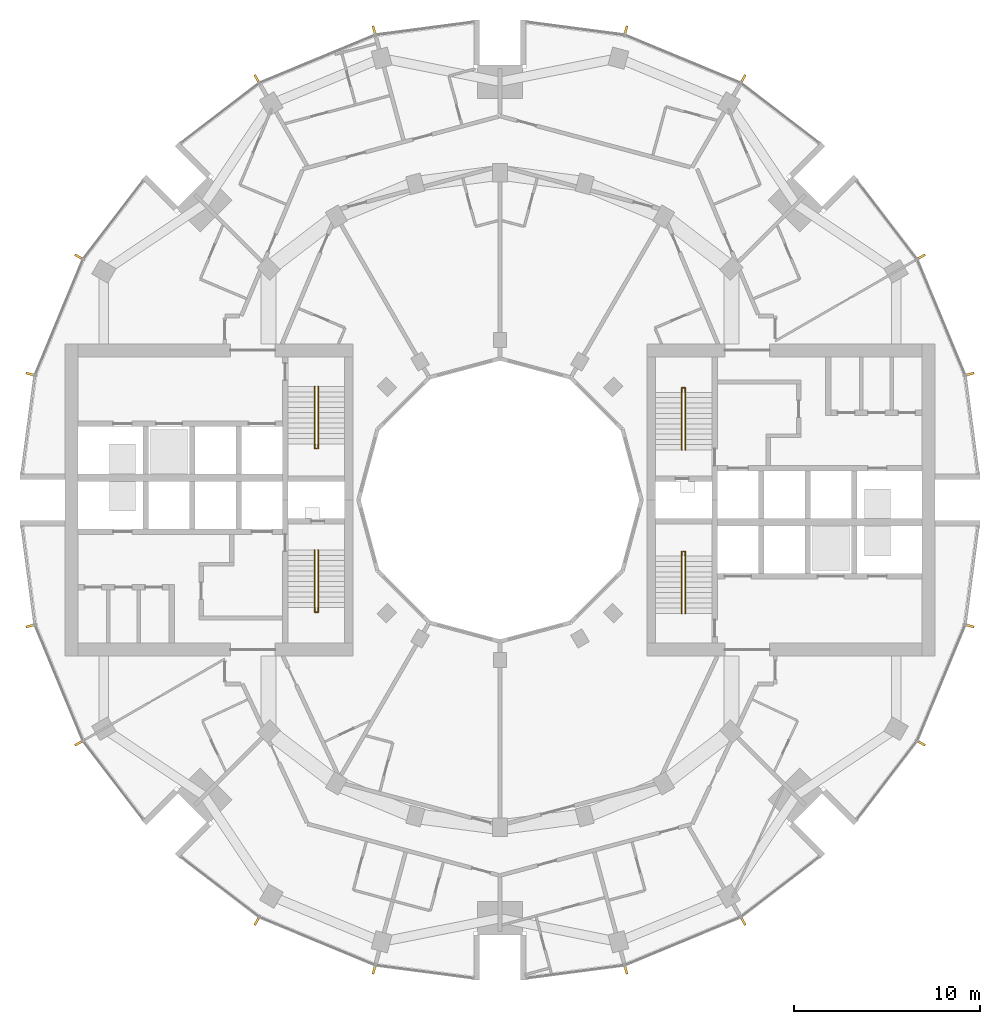
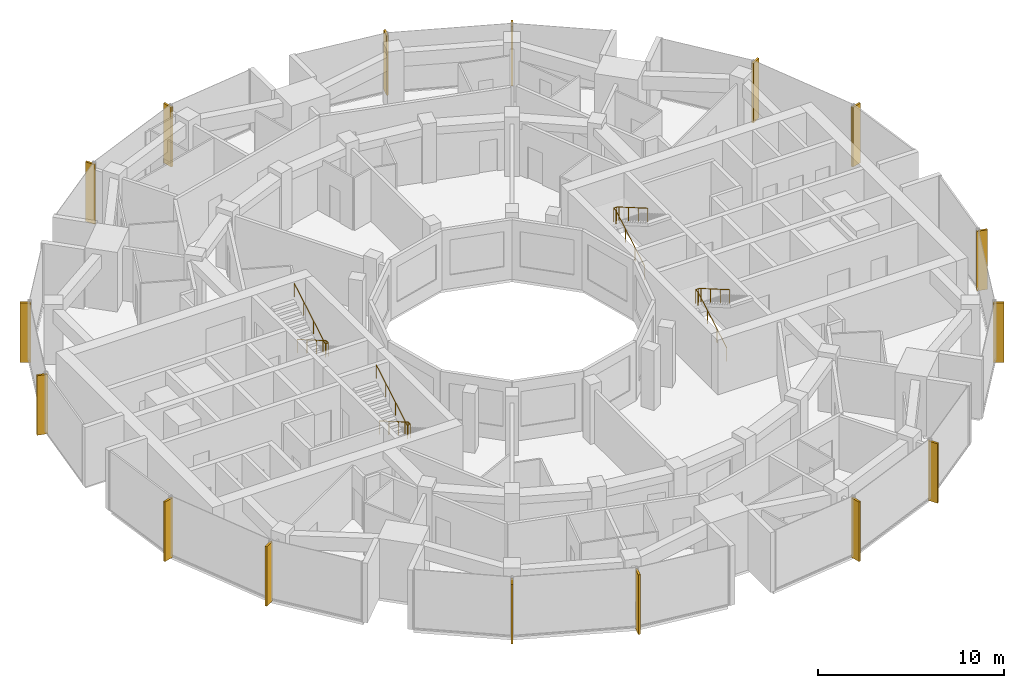
# One storey, part 14 of 15: 16 shading devices, 4 railings.
"""IFC4 building model written with IfcOpenShell, lengths in metres."""

from ifc_helpers import new_model, si_unit, direction, frame, origin, origin_2d, place, context, subcontext, project, spatial, rectangle, circle, extrude, material, material_profile, profile_set, type_object, element, save


model = new_model("IFC4")

# Units and contexts
model_context = context("Model", 3, precision=1e-05, world=origin(), true_north=direction((0.0, 1.0)))
body_context = subcontext(model_context, "Body", "Model", "MODEL_VIEW")
ifc_project = project(units=[si_unit("LENGTHUNIT", "METRE"), si_unit("AREAUNIT", "SQUARE_METRE"), si_unit("VOLUMEUNIT", "CUBIC_METRE"), si_unit("PLANEANGLEUNIT", "RADIAN"), si_unit("MASSUNIT", "GRAM", prefix="KILO")], contexts=[model_context])

# Site, building, storey
site_placement = place(None, origin())
site = spatial("IfcSite", under=ifc_project, at=site_placement, CompositionType="ELEMENT")
building_placement = place(site_placement, origin())
building = spatial("IfcBuilding", under=site, at=building_placement, Name="Torre Brocal", CompositionType="ELEMENT")
storey_placement = place(building_placement, frame((0.0, 0.0, 126.300048828125)))
storey = spatial("IfcBuildingStorey", under=building, at=storey_placement, Name="L29", CompositionType="ELEMENT", Elevation=126.300048828125)

# Shading devices
ifc_material_1 = material(Name="Aluminium, black anodised", Category="aluminium")
ifc_material_profile = material_profile(ifc_material_1, rectangle(XDim=0.1201171875, YDim=0.60009765625, at=origin_2d()), Name="FIN 120X600 3900 HIGH")
ifc_profile_set = profile_set([ifc_material_profile], Name="Aluminium, black anodised")
shading_device_type = type_object("IfcShadingDeviceType", Name="FIN 120X600 3900 HIGH", PredefinedType="USERDEFINED", material=ifc_profile_set)
for number, where, z_axis, x_axis, name in (
    (1, (105.208984375, 81.754638671875, -0.150146484375), (0.0, 0.0, 1.0), (-0.258819045103, 0.965925826289, 0.0), "FIN"),
    (2, (102.601806640625, 88.049072265625, -0.150146484375), (0.0, 0.0, 1.0), (-0.5, 0.866025403784, 0.0), "FIN"),
    (3, (93.049072265625, 97.601806640625, -0.150146484375), (0.0, 0.0, 1.0), (-0.866025403784, 0.5, 0.0), "FIN"),
    (4, (86.754638671875, 100.208984375, -0.150146484375), (0.0, 0.0, 1.0), (-0.965925826289, 0.258819045103, 0.0), "FIN"),
    (5, (73.245361328125, 100.208984375, -0.150146484375), (0.0, 0.0, 1.0), (-0.965925826289, -0.258819045103, 0.0), "FIN"),
    (6, (66.950927734375, 97.601806640625, -0.150146484375), (0.0, 0.0, 1.0), (-0.866025403784, -0.5, 0.0), "FIN"),
    (7, (57.398193359375, 88.049072265625, -0.150146484375), (0.0, 0.0, 1.0), (-0.5, -0.866025403784, 0.0), "FIN"),
    (8, (54.791015625, 81.754638671875, -0.150146484375), (0.0, 0.0, 1.0), (-0.258819045103, -0.965925826289, 0.0), "FIN"),
    (9, (54.791015625, 68.245361328125, -0.150146484375), (0.0, 0.0, 1.0), (0.258819045103, -0.965925826289, 0.0), "FIN"),
    (10, (57.398193359375, 61.950927734375, -0.150146484375), (0.0, 0.0, 1.0), (0.5, -0.866025403784, 0.0), "FIN"),
    (11, (66.950927734375, 52.398193359375, -0.150146484375), (0.0, 0.0, 1.0), (0.866025403784, -0.5, 0.0), "FIN"),
    (12, (73.245361328125, 49.791015625, -0.150146484375), (0.0, 0.0, 1.0), (0.965925826289, -0.258819045103, 0.0), "FIN"),
    (13, (86.754638671875, 49.791015625, -0.150146484375), (0.0, 0.0, 1.0), (0.965925826289, 0.258819045103, 0.0), "FIN"),
    (14, (93.049072265625, 52.398193359375, -0.150146484375), (0.0, 0.0, 1.0), (0.866025403784, 0.5, 0.0), "FIN"),
    (15, (102.601806640625, 61.950927734375, -0.150146484375), (0.0, 0.0, 1.0), (0.5, 0.866025403784, 0.0), "FIN"),
    (16, (105.208984375, 68.245361328125, -0.150146484375), (0.0, 0.0, 1.0), (0.258819045103, 0.965925826289, 0.0), "FIN"),
):
    element("IfcShadingDevice", number, at=place(storey_placement, frame(where, z_axis=z_axis, x_axis=x_axis)), inside=storey, type_object=shading_device_type, Name=name, ObjectType="FIN", PredefinedType="USERDEFINED", context=body_context, shape_type="SweptSolid", body=[
        extrude(rectangle(XDim=0.1201171875, YDim=0.60009765625, at=origin_2d()), origin(), (0.0, 0.0, 1.0), 3.900146484375),
    ])

# Railings
ifc_material_2 = material(Name="Stainless steel AISI 316", Category="steel")
railing_type = type_object("IfcRailingType", Name="STAIR HANDRAIL", PredefinedType="HANDRAIL", material=ifc_material_2)
railing_1_placement = place(storey_placement, frame((89.780029296875, 77.699951171875, 0.162353515625)))
element("IfcRailing", 17, at=railing_1_placement, inside=storey, type_object=railing_type, Name="HANDRAIL ST1", PredefinedType="HANDRAIL", context=body_context, shape_type="SweptSolid", body=[
    extrude(circle(Radius=0.02392578125, at=origin_2d()), frame((0.0, 0.0, 0.8759765625), z_axis=(0.0, 0.864890721111, 0.501960198159), x_axis=(-1.0, 0.0, 0.0)), (0.0, 0.0, 1.0), 3.561279296875),
    extrude(circle(Radius=0.02392578125, at=origin_2d()), frame((0.0, 3.080078125, 2.66357421875), z_axis=(0.0, 1.0, 0.0), x_axis=(-1.0, 0.0, 0.0)), (0.0, 0.0, 1.0), 0.25),
    extrude(circle(Radius=0.02392578125, at=origin_2d()), frame((0.0, 3.330078125, 2.66357421875), z_axis=(1.0, 0.0, 0.0), x_axis=(0.0, 1.0, 0.0)), (0.0, 0.0, 1.0), 0.18994140625),
    extrude(circle(Radius=0.02392578125, at=origin_2d()), frame((0.18994140625, 3.330078125, 2.66357421875), z_axis=(0.0, -0.838293955121, 0.545218529405), x_axis=(1.0, 0.0, 0.0)), (0.0, 0.0, 1.0), 0.29833984375),
    extrude(circle(Radius=0.02392578125, at=origin_2d()), frame((0.18994140625, 3.080078125, 2.826171875), z_axis=(0.0, -0.864920483161, 0.501908913857), x_axis=(1.0, 0.0, 0.0)), (0.0, 0.0, 1.0), 3.56103515625),
    extrude(circle(Radius=0.02099609375, at=origin_2d()), origin(), (0.0, 0.0, 1.0), 0.851806640625),
    extrude(circle(Radius=0.02099609375, at=origin_2d()), frame((0.0, 1.026611328125, 0.595947265625)), (0.0, 0.0, 1.0), 0.851806640625),
    extrude(circle(Radius=0.02099609375, at=origin_2d()), frame((0.0, 2.053466796875, 1.191650390625)), (0.0, 0.0, 1.0), 0.851806640625),
    extrude(circle(Radius=0.02099609375, at=origin_2d()), frame((0.0, 3.080078125, 1.78759765625)), (0.0, 0.0, 1.0), 0.851806640625),
    extrude(circle(Radius=0.02099609375, at=origin_2d()), frame((0.0, 3.330078125, 1.78759765625)), (0.0, 0.0, 1.0), 0.851806640625),
    extrude(circle(Radius=0.02099609375, at=origin_2d()), frame((0.18994140625, 3.330078125, 1.78759765625)), (0.0, 0.0, 1.0), 0.851806640625),
    extrude(circle(Radius=0.02099609375, at=origin_2d()), frame((0.18994140625, 3.080078125, 1.9501953125)), (0.0, 0.0, 1.0), 0.851806640625),
    extrude(circle(Radius=0.02099609375, at=origin_2d()), frame((0.18994140625, 2.053466796875, 2.5458984375)), (0.0, 0.0, 1.0), 0.851806640625),
    extrude(circle(Radius=0.02099609375, at=origin_2d()), frame((0.18994140625, 1.026611328125, 3.141845703125)), (0.0, 0.0, 1.0), 0.851806640625),
    extrude(circle(Radius=0.02099609375, at=origin_2d()), frame((0.18994140625, 0.0, 3.737548828125)), (0.0, 0.0, 1.0), 0.851806640625),
])
railing_2_placement = place(storey_placement, frame((89.780029296875, 68.89990234375, 0.162353515625)))
element("IfcRailing", 18, at=railing_2_placement, inside=storey, type_object=railing_type, Name="HANDRAIL ST2", PredefinedType="HANDRAIL", context=body_context, shape_type="SweptSolid", body=[
    extrude(circle(Radius=0.02392578125, at=origin_2d()), frame((0.0, 0.0, 0.8759765625), z_axis=(0.0, 0.864890721111, 0.501960198159), x_axis=(-1.0, 0.0, 0.0)), (0.0, 0.0, 1.0), 3.561279296875),
    extrude(circle(Radius=0.02392578125, at=origin_2d()), frame((0.0, 3.080078125, 2.66357421875), z_axis=(0.0, 1.0, 0.0), x_axis=(-1.0, 0.0, 0.0)), (0.0, 0.0, 1.0), 0.25),
    extrude(circle(Radius=0.02392578125, at=origin_2d()), frame((0.0, 3.330078125, 2.66357421875), z_axis=(1.0, 0.0, 0.0), x_axis=(0.0, 1.0, 0.0)), (0.0, 0.0, 1.0), 0.18994140625),
    extrude(circle(Radius=0.02392578125, at=origin_2d()), frame((0.18994140625, 3.330078125, 2.66357421875), z_axis=(0.0, -0.838293955121, 0.545218529405), x_axis=(1.0, 0.0, 0.0)), (0.0, 0.0, 1.0), 0.29833984375),
    extrude(circle(Radius=0.02392578125, at=origin_2d()), frame((0.18994140625, 3.080078125, 2.826171875), z_axis=(0.0, -0.864920483161, 0.501908913857), x_axis=(1.0, 0.0, 0.0)), (0.0, 0.0, 1.0), 3.56103515625),
    extrude(circle(Radius=0.02099609375, at=origin_2d()), origin(), (0.0, 0.0, 1.0), 0.851806640625),
    extrude(circle(Radius=0.02099609375, at=origin_2d()), frame((0.0, 1.026611328125, 0.595947265625)), (0.0, 0.0, 1.0), 0.851806640625),
    extrude(circle(Radius=0.02099609375, at=origin_2d()), frame((0.0, 2.053466796875, 1.191650390625)), (0.0, 0.0, 1.0), 0.851806640625),
    extrude(circle(Radius=0.02099609375, at=origin_2d()), frame((0.0, 3.080078125, 1.78759765625)), (0.0, 0.0, 1.0), 0.851806640625),
    extrude(circle(Radius=0.02099609375, at=origin_2d()), frame((0.0, 3.330078125, 1.78759765625)), (0.0, 0.0, 1.0), 0.851806640625),
    extrude(circle(Radius=0.02099609375, at=origin_2d()), frame((0.18994140625, 3.330078125, 1.78759765625)), (0.0, 0.0, 1.0), 0.851806640625),
    extrude(circle(Radius=0.02099609375, at=origin_2d()), frame((0.18994140625, 3.080078125, 1.9501953125)), (0.0, 0.0, 1.0), 0.851806640625),
    extrude(circle(Radius=0.02099609375, at=origin_2d()), frame((0.18994140625, 2.053466796875, 2.5458984375)), (0.0, 0.0, 1.0), 0.851806640625),
    extrude(circle(Radius=0.02099609375, at=origin_2d()), frame((0.18994140625, 1.026611328125, 3.141845703125)), (0.0, 0.0, 1.0), 0.851806640625),
    extrude(circle(Radius=0.02099609375, at=origin_2d()), frame((0.18994140625, 0.0, 3.737548828125)), (0.0, 0.0, 1.0), 0.851806640625),
])
railing_3_placement = place(storey_placement, frame((70.219970703125, 72.300048828125, 0.162353515625)))
element("IfcRailing", 19, at=railing_3_placement, inside=storey, type_object=railing_type, Name="HANDRAIL ST3", PredefinedType="HANDRAIL", context=body_context, shape_type="SweptSolid", body=[
    extrude(circle(Radius=0.02392578125, at=origin_2d()), frame((0.0, 0.0, 0.8759765625), z_axis=(0.0, -0.864890721111, 0.501960198159), x_axis=(1.0, 0.0, 0.0)), (0.0, 0.0, 1.0), 3.561279296875),
    extrude(circle(Radius=0.02392578125, at=origin_2d()), frame((0.0, -3.080078125, 2.66357421875), z_axis=(0.0, -1.0, 0.0), x_axis=(1.0, 0.0, 0.0)), (0.0, 0.0, 1.0), 0.25),
    extrude(circle(Radius=0.02392578125, at=origin_2d()), frame((0.0, -3.330078125, 2.66357421875), z_axis=(-1.0, 0.0, 0.0), x_axis=(0.0, -1.0, 0.0)), (0.0, 0.0, 1.0), 0.18994140625),
    extrude(circle(Radius=0.02392578125, at=origin_2d()), frame((-0.18994140625, -3.330078125, 2.66357421875), z_axis=(0.0, 0.838293955121, 0.545218529405), x_axis=(-1.0, 0.0, 0.0)), (0.0, 0.0, 1.0), 0.29833984375),
    extrude(circle(Radius=0.02392578125, at=origin_2d()), frame((-0.18994140625, -3.080078125, 2.826171875), z_axis=(0.0, 0.864920483161, 0.501908913857), x_axis=(-1.0, 0.0, 0.0)), (0.0, 0.0, 1.0), 3.56103515625),
    extrude(circle(Radius=0.02099609375, at=origin_2d()), origin(), (0.0, 0.0, 1.0), 0.851806640625),
    extrude(circle(Radius=0.02099609375, at=origin_2d()), frame((0.0, -1.026611328125, 0.595947265625)), (0.0, 0.0, 1.0), 0.851806640625),
    extrude(circle(Radius=0.02099609375, at=origin_2d()), frame((0.0, -2.053466796875, 1.191650390625)), (0.0, 0.0, 1.0), 0.851806640625),
    extrude(circle(Radius=0.02099609375, at=origin_2d()), frame((0.0, -3.080078125, 1.78759765625)), (0.0, 0.0, 1.0), 0.851806640625),
    extrude(circle(Radius=0.02099609375, at=origin_2d()), frame((0.0, -3.330078125, 1.78759765625)), (0.0, 0.0, 1.0), 0.851806640625),
    extrude(circle(Radius=0.02099609375, at=origin_2d()), frame((-0.18994140625, -3.330078125, 1.78759765625)), (0.0, 0.0, 1.0), 0.851806640625),
    extrude(circle(Radius=0.02099609375, at=origin_2d()), frame((-0.18994140625, -3.080078125, 1.9501953125)), (0.0, 0.0, 1.0), 0.851806640625),
    extrude(circle(Radius=0.02099609375, at=origin_2d()), frame((-0.18994140625, -2.053466796875, 2.5458984375)), (0.0, 0.0, 1.0), 0.851806640625),
    extrude(circle(Radius=0.02099609375, at=origin_2d()), frame((-0.18994140625, -1.026611328125, 3.141845703125)), (0.0, 0.0, 1.0), 0.851806640625),
    extrude(circle(Radius=0.02099609375, at=origin_2d()), frame((-0.18994140625, 0.0, 3.737548828125)), (0.0, 0.0, 1.0), 0.851806640625),
])
railing_4_placement = place(storey_placement, frame((70.219970703125, 81.10009765625, 0.162353515625)))
element("IfcRailing", 20, at=railing_4_placement, inside=storey, type_object=railing_type, Name="HANDRAIL ST4", PredefinedType="HANDRAIL", context=body_context, shape_type="SweptSolid", body=[
    extrude(circle(Radius=0.02392578125, at=origin_2d()), frame((0.0, 0.0, 0.8759765625), z_axis=(0.0, -0.864890721111, 0.501960198159), x_axis=(1.0, 0.0, 0.0)), (0.0, 0.0, 1.0), 3.561279296875),
    extrude(circle(Radius=0.02392578125, at=origin_2d()), frame((0.0, -3.080078125, 2.66357421875), z_axis=(0.0, -1.0, 0.0), x_axis=(1.0, 0.0, 0.0)), (0.0, 0.0, 1.0), 0.25),
    extrude(circle(Radius=0.02392578125, at=origin_2d()), frame((0.0, -3.330078125, 2.66357421875), z_axis=(-1.0, 0.0, 0.0), x_axis=(0.0, -1.0, 0.0)), (0.0, 0.0, 1.0), 0.18994140625),
    extrude(circle(Radius=0.02392578125, at=origin_2d()), frame((-0.18994140625, -3.330078125, 2.66357421875), z_axis=(0.0, 0.838293955121, 0.545218529405), x_axis=(-1.0, 0.0, 0.0)), (0.0, 0.0, 1.0), 0.29833984375),
    extrude(circle(Radius=0.02392578125, at=origin_2d()), frame((-0.18994140625, -3.080078125, 2.826171875), z_axis=(0.0, 0.864920483161, 0.501908913857), x_axis=(-1.0, 0.0, 0.0)), (0.0, 0.0, 1.0), 3.56103515625),
    extrude(circle(Radius=0.02099609375, at=origin_2d()), origin(), (0.0, 0.0, 1.0), 0.851806640625),
    extrude(circle(Radius=0.02099609375, at=origin_2d()), frame((0.0, -1.026611328125, 0.595947265625)), (0.0, 0.0, 1.0), 0.851806640625),
    extrude(circle(Radius=0.02099609375, at=origin_2d()), frame((0.0, -2.053466796875, 1.191650390625)), (0.0, 0.0, 1.0), 0.851806640625),
    extrude(circle(Radius=0.02099609375, at=origin_2d()), frame((0.0, -3.080078125, 1.78759765625)), (0.0, 0.0, 1.0), 0.851806640625),
    extrude(circle(Radius=0.02099609375, at=origin_2d()), frame((0.0, -3.330078125, 1.78759765625)), (0.0, 0.0, 1.0), 0.851806640625),
    extrude(circle(Radius=0.02099609375, at=origin_2d()), frame((-0.18994140625, -3.330078125, 1.78759765625)), (0.0, 0.0, 1.0), 0.851806640625),
    extrude(circle(Radius=0.02099609375, at=origin_2d()), frame((-0.18994140625, -3.080078125, 1.9501953125)), (0.0, 0.0, 1.0), 0.851806640625),
    extrude(circle(Radius=0.02099609375, at=origin_2d()), frame((-0.18994140625, -2.053466796875, 2.5458984375)), (0.0, 0.0, 1.0), 0.851806640625),
    extrude(circle(Radius=0.02099609375, at=origin_2d()), frame((-0.18994140625, -1.026611328125, 3.141845703125)), (0.0, 0.0, 1.0), 0.851806640625),
    extrude(circle(Radius=0.02099609375, at=origin_2d()), frame((-0.18994140625, 0.0, 3.737548828125)), (0.0, 0.0, 1.0), 0.851806640625),
])

save(model, "model.ifc")
